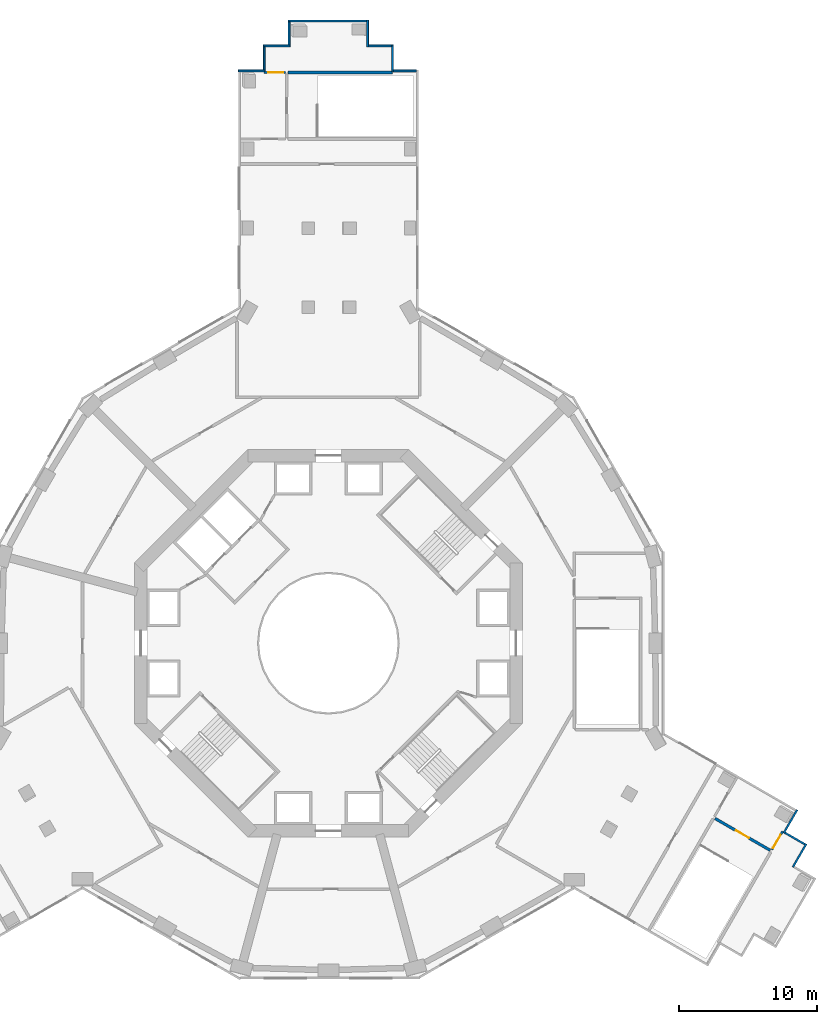
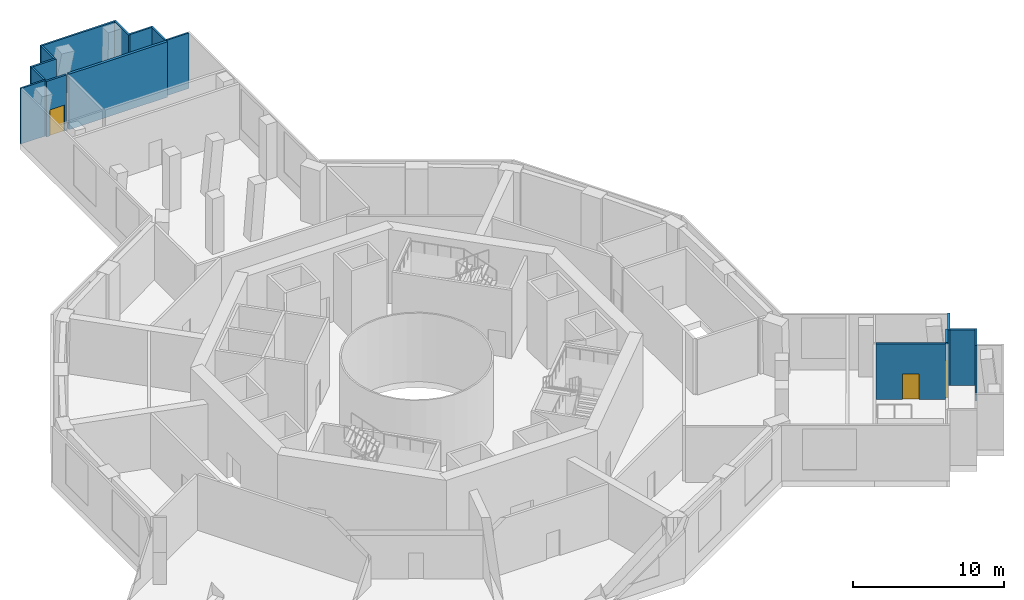
# One storey, part 6 of 12: 16 walls, 3 doors, 3 openings.
"""IFC4 building model written with IfcOpenShell, lengths in metres."""

from ifc_helpers import new_model, si_unit, direction, frame, frame_2d, origin, place, context, subcontext, project, spatial, rectangle, extrude, material, layer, layer_set, type_object, element, fill, save


model = new_model("IFC4")

# Units and contexts
model_context = context("Model", 3, precision=1e-05, world=origin(), true_north=direction((0.0, 1.0)))
body_context = subcontext(model_context, "Body", "Model", "MODEL_VIEW")
ifc_project = project(units=[si_unit("LENGTHUNIT", "METRE"), si_unit("AREAUNIT", "SQUARE_METRE"), si_unit("VOLUMEUNIT", "CUBIC_METRE"), si_unit("PLANEANGLEUNIT", "RADIAN"), si_unit("MASSUNIT", "GRAM", prefix="KILO")], contexts=[model_context])

# Site, building, storey
site_placement = place(None, origin())
site = spatial("IfcSite", under=ifc_project, at=site_placement, CompositionType="ELEMENT")
building_placement = place(site_placement, origin())
building = spatial("IfcBuilding", under=site, at=building_placement, Name="Verdalira Terraces Hotel", CompositionType="ELEMENT")
storey_placement = place(building_placement, frame((0.0, 0.0, 28.0)))
storey = spatial("IfcBuildingStorey", under=building, at=storey_placement, Name="L05", CompositionType="ELEMENT", Elevation=28.0)

# Wall, opening, door
ifc_material_1 = material(Name="Gypsum board partition on steel stud", Category="steel")
ifc_layer_1 = layer(ifc_material_1, 0.14990234375)
ifc_layer_set_1 = layer_set([ifc_layer_1], Name="Fire-rated partition 150 mm")
wall_type_1 = type_object("IfcWallType", Name="Fire-rated partition 150 mm", PredefinedType="PARTITIONING", material=ifc_layer_set_1)
wall_1_placement = place(storey_placement, frame((-4.64502, 41.199951, 0.0), z_axis=(0.0, 0.0, 1.0), x_axis=(1.0, 0.0, 0.0)))
wall_1 = element("IfcWall", 1, at=wall_1_placement, inside=storey, type_object=wall_type_1, Name="Partition", PredefinedType="PARTITIONING", context=body_context, shape_type="SweptSolid", body=[
    extrude(rectangle(XDim=1.545166, YDim=0.149902, at=frame_2d((0.772461, 0.0))), origin(), (0.0, 0.0, 1.0), 4.5),
])
opening_1_placement = place(wall_1_placement, frame((0.29541, 0.0, 0.0)))
opening_1 = element("IfcOpeningElement", 2, at=opening_1_placement, cuts=wall_1, Name="Opening L05-D11", PredefinedType="OPENING", context=body_context, shape_type="SweptSolid", body=[
    extrude(rectangle(XDim=1.100098, YDim=2.100098, at=frame_2d((0.550049, 1.050049))), frame((0.0, 0.084961, 0.0), z_axis=(0.0, -1.0, 0.0), x_axis=(1.0, 0.0, 0.0)), (0.0, 0.0, 1.0), 0.169922),
])
ifc_material_2 = material(Name="Steel fire door", Category="steel")
door_type = type_object("IfcDoorType", Name="Stair door 1100 x 2100", OperationType="SINGLE_SWING_LEFT", PredefinedType="DOOR", material=ifc_material_2)
door_1_placement = place(opening_1_placement, origin())
door_1 = element("IfcDoor", 3, at=door_1_placement, inside=storey, type_object=door_type, Name="Stair door Stair vestibule PS1", OperationType="SINGLE_SWING_LEFT", OverallHeight=2.10009765625, OverallWidth=1.10009765625, PredefinedType="DOOR", context=body_context, shape_type="SweptSolid", body=[
    extrude(rectangle(XDim=1.100098, YDim=2.100098, at=frame_2d((0.550049, 1.050049))), frame((0.0, 0.024902, 0.0), z_axis=(0.0, -1.0, 0.0), x_axis=(1.0, 0.0, 0.0)), (0.0, 0.0, 1.0), 0.050049),
])
fill(opening_1, door_1)

wall_2_placement = place(storey_placement, frame((32.806641, -13.577148, 0.0), z_axis=(0.0, 0.0, 1.0), x_axis=(-0.499995951, -0.866027742, 0.0)))
wall_2 = element("IfcWall", 4, at=wall_2_placement, inside=storey, type_object=wall_type_1, Name="Partition", PredefinedType="PARTITIONING", context=body_context, shape_type="SweptSolid", body=[
    extrude(rectangle(XDim=1.54541, YDim=0.149902, at=frame_2d((0.772705, 0.0))), origin(), (0.0, 0.0, 1.0), 4.5),
])
opening_2_placement = place(wall_2_placement, frame((0.29541, 0.0, 0.0)))
opening_2 = element("IfcOpeningElement", 5, at=opening_2_placement, cuts=wall_2, Name="Opening L05-D22", PredefinedType="OPENING", context=body_context, shape_type="SweptSolid", body=[
    extrude(rectangle(XDim=1.100098, YDim=2.100098, at=frame_2d((0.550049, 1.050049))), frame((0.0, 0.084961, 0.0), z_axis=(0.0, -1.0, 0.0), x_axis=(1.0, 0.0, 0.0)), (0.0, 0.0, 1.0), 0.169922),
])
door_2_placement = place(opening_2_placement, origin())
door_2 = element("IfcDoor", 6, at=door_2_placement, inside=storey, type_object=door_type, Name="Stair door Stair vestibule PS3", OperationType="SINGLE_SWING_RIGHT", OverallHeight=2.10009765625, OverallWidth=1.10009765625, PredefinedType="DOOR", context=body_context, shape_type="SweptSolid", body=[
    extrude(rectangle(XDim=1.100098, YDim=2.100098, at=frame_2d((0.550049, 1.050049))), frame((0.0, 0.024902, 0.0), z_axis=(0.0, -1.0, 0.0), x_axis=(1.0, 0.0, 0.0)), (0.0, 0.0, 1.0), 0.050049),
])
fill(opening_2, door_2)

# Wall
ifc_material_3 = material(Name="Concrete C50", Category="concrete")
ifc_layer_2 = layer(ifc_material_3, 0.199951171875)
ifc_layer_set_2 = layer_set([ifc_layer_2], Name="Stair enclosure wall 200 mm")
wall_type_2 = type_object("IfcWallType", Name="Stair enclosure wall 200 mm", PredefinedType="SOLIDWALL", material=ifc_layer_set_2)
wall_3_placement = place(storey_placement, frame((4.64502, 41.199951, 0.0), z_axis=(0.0, 0.0, 1.0), x_axis=(-1.0, 0.0, 0.0)))
element("IfcWall", 7, at=wall_3_placement, inside=storey, type_object=wall_type_2, Name="Stair enclosure wall", PredefinedType="SOLIDWALL", context=body_context, shape_type="SweptSolid", body=[
    extrude(rectangle(XDim=7.545166, YDim=0.199951, at=frame_2d((3.772461, 0.0))), origin(), (0.0, 0.0, 1.0), 4.5),
])

# Wall, opening, door
wall_4_placement = place(storey_placement, frame((27.913818, -12.651855, 0.0), z_axis=(0.0, 0.0, 1.0), x_axis=(0.86601677, -0.500014953, 0.0)))
wall_4 = element("IfcWall", 8, at=wall_4_placement, inside=storey, type_object=wall_type_2, Name="Stair enclosure wall", PredefinedType="SOLIDWALL", context=body_context, shape_type="SweptSolid", body=[
    extrude(rectangle(XDim=4.599854, YDim=0.199951, at=frame_2d((2.299805, 0.0))), origin(), (0.0, 0.0, 1.0), 4.5),
])
opening_3_placement = place(wall_4_placement, frame((1.75, 0.0, 0.0)))
opening_3 = element("IfcOpeningElement", 9, at=opening_3_placement, cuts=wall_4, Name="Opening L05-D21", PredefinedType="OPENING", context=body_context, shape_type="SweptSolid", body=[
    extrude(rectangle(XDim=1.100098, YDim=2.100098, at=frame_2d((0.550049, 1.050049))), frame((0.0, 0.109863, 0.0), z_axis=(0.0, -1.0, 0.0), x_axis=(1.0, 0.0, 0.0)), (0.0, 0.0, 1.0), 0.219971),
])
door_3_placement = place(opening_3_placement, origin())
door_3 = element("IfcDoor", 10, at=door_3_placement, inside=storey, type_object=door_type, Name="Stair door Stair lobby PS3", OperationType="SINGLE_SWING_LEFT", OverallHeight=2.10009765625, OverallWidth=1.10009765625, PredefinedType="DOOR", context=body_context, shape_type="SweptSolid", body=[
    extrude(rectangle(XDim=1.100098, YDim=2.100098, at=frame_2d((0.550049, 1.050049))), frame((0.0, 0.024902, 0.0), z_axis=(0.0, -1.0, 0.0), x_axis=(1.0, 0.0, 0.0)), (0.0, 0.0, 1.0), 0.050049),
])
fill(opening_3, door_3)

# Walls
ifc_material_4 = material(Name="Concrete C40", Category="concrete")
ifc_layer_3 = layer(ifc_material_4, 0.139892578125)
ifc_layer_set_3 = layer_set([ifc_layer_3], Name="Terracotta clad concrete wall C40 140 mm")
wall_type_3 = type_object("IfcWallType", Name="Terracotta clad concrete wall C40 140 mm", PredefinedType="SOLIDWALL", material=ifc_layer_set_3)
wall_5_placement = place(storey_placement, frame((6.360107, 41.330078, 0.0), z_axis=(0.0, 0.0, 1.0), x_axis=(-1.0, 0.0, 0.0)))
element("IfcWall", 11, at=wall_5_placement, inside=storey, type_object=wall_type_3, Name="Podium facade wall", PredefinedType="SOLIDWALL", context=body_context, shape_type="SweptSolid", body=[
    extrude(rectangle(XDim=1.660156, YDim=0.139893, at=frame_2d((0.830078, 0.0))), origin(), (0.0, 0.0, 1.0), 4.5),
])
wall_6_placement = place(storey_placement, frame((4.629883, 41.26001, 0.0), z_axis=(0.0, 0.0, 1.0), x_axis=(0.0, 1.0, 0.0)))
element("IfcWall", 12, at=wall_6_placement, inside=storey, type_object=wall_type_3, Name="Podium facade wall", PredefinedType="SOLIDWALL", context=body_context, shape_type="SweptSolid", body=[
    extrude(rectangle(XDim=1.939941, YDim=0.139893, at=frame_2d((0.969971, 0.0))), origin(), (0.0, 0.0, 1.0), 4.5),
])
ifc_material_5 = material(Name="Terracotta cladding on steel stud backup", Category="masonry")
ifc_layer_4 = layer(ifc_material_5, 0.139892578125)
ifc_layer_set_4 = layer_set([ifc_layer_4], Name="Terracotta clad wall 140 mm")
wall_type_4 = type_object("IfcWallType", Name="Terracotta clad wall 140 mm", PredefinedType="SOLIDWALL", material=ifc_layer_set_4)
wall_7_placement = place(storey_placement, frame((4.560059, 43.129883, 0.0), z_axis=(0.0, 0.0, 1.0), x_axis=(-1.0, 0.0, 0.0)))
element("IfcWall", 13, at=wall_7_placement, inside=storey, type_object=wall_type_4, Name="Podium facade wall", PredefinedType="SOLIDWALL", context=body_context, shape_type="SweptSolid", body=[
    extrude(rectangle(XDim=1.660156, YDim=0.139893, at=frame_2d((0.830078, 0.0))), origin(), (0.0, 0.0, 1.0), 4.5),
])
wall_8_placement = place(storey_placement, frame((2.830078, 43.060059, 0.0), z_axis=(0.0, 0.0, 1.0), x_axis=(0.0, 1.0, 0.0)))
element("IfcWall", 14, at=wall_8_placement, inside=storey, type_object=wall_type_4, Name="Podium facade wall", PredefinedType="SOLIDWALL", context=body_context, shape_type="SweptSolid", body=[
    extrude(rectangle(XDim=1.939941, YDim=0.139893, at=frame_2d((0.969971, 0.0))), origin(), (0.0, 0.0, 1.0), 4.5),
])
wall_9_placement = place(storey_placement, frame((2.76001, 44.929932, 0.0), z_axis=(0.0, 0.0, 1.0), x_axis=(-1.0, 0.0, 0.0)))
element("IfcWall", 15, at=wall_9_placement, inside=storey, type_object=wall_type_4, Name="Podium facade wall", PredefinedType="SOLIDWALL", context=body_context, shape_type="SweptSolid", body=[
    extrude(rectangle(XDim=5.659912, YDim=0.139893, at=frame_2d((2.830078, 0.0))), origin(), (0.0, 0.0, 1.0), 4.5),
])
wall_10_placement = place(storey_placement, frame((-2.830078, 44.860107, 0.0), z_axis=(0.0, 0.0, 1.0), x_axis=(0.0, -1.0, 0.0)))
element("IfcWall", 16, at=wall_10_placement, inside=storey, type_object=wall_type_4, Name="Podium facade wall", PredefinedType="SOLIDWALL", context=body_context, shape_type="SweptSolid", body=[
    extrude(rectangle(XDim=1.660156, YDim=0.139893, at=frame_2d((0.830078, 0.0))), origin(), (0.0, 0.0, 1.0), 4.5),
])
wall_11_placement = place(storey_placement, frame((-2.76001, 43.129883, 0.0), z_axis=(0.0, 0.0, 1.0), x_axis=(-1.0, 0.0, 0.0)))
element("IfcWall", 17, at=wall_11_placement, inside=storey, type_object=wall_type_4, Name="Podium facade wall", PredefinedType="SOLIDWALL", context=body_context, shape_type="SweptSolid", body=[
    extrude(rectangle(XDim=1.939941, YDim=0.139893, at=frame_2d((0.969971, 0.0))), origin(), (0.0, 0.0, 1.0), 4.5),
])
wall_12_placement = place(storey_placement, frame((-4.629883, 43.060059, 0.0), z_axis=(0.0, 0.0, 1.0), x_axis=(0.0, -1.0, 0.0)))
element("IfcWall", 18, at=wall_12_placement, inside=storey, type_object=wall_type_4, Name="Podium facade wall", PredefinedType="SOLIDWALL", context=body_context, shape_type="SweptSolid", body=[
    extrude(rectangle(XDim=1.660156, YDim=0.139893, at=frame_2d((0.830078, 0.0))), origin(), (0.0, 0.0, 1.0), 4.5),
])
wall_13_placement = place(storey_placement, frame((-4.560059, 41.330078, 0.0), z_axis=(0.0, 0.0, 1.0), x_axis=(-1.0, 0.0, 0.0)))
element("IfcWall", 19, at=wall_13_placement, inside=storey, type_object=wall_type_4, Name="Podium facade wall", PredefinedType="SOLIDWALL", context=body_context, shape_type="SweptSolid", body=[
    extrude(rectangle(XDim=1.939941, YDim=0.139893, at=frame_2d((0.969971, 0.0))), origin(), (0.0, 0.0, 1.0), 4.5),
])
wall_14_placement = place(storey_placement, frame((33.5354, -16.174805, 0.0), z_axis=(0.0, 0.0, 1.0), x_axis=(0.500063744, 0.865988598, 0.0)))
element("IfcWall", 20, at=wall_14_placement, inside=storey, type_object=wall_type_4, Name="Podium facade wall", PredefinedType="SOLIDWALL", context=body_context, shape_type="SweptSolid", body=[
    extrude(rectangle(XDim=1.940186, YDim=0.139893, at=frame_2d((0.970215, 0.0))), origin(), (0.0, 0.0, 1.0), 4.5),
])
wall_15_placement = place(storey_placement, frame((34.409912, -14.520264, 0.0), z_axis=(0.0, 0.0, 1.0), x_axis=(-0.865989634, 0.500061949, 0.0)))
element("IfcWall", 21, at=wall_15_placement, inside=storey, type_object=wall_type_4, Name="Podium facade wall", PredefinedType="SOLIDWALL", context=body_context, shape_type="SweptSolid", body=[
    extrude(rectangle(XDim=1.659912, YDim=0.139893, at=frame_2d((0.830078, 0.0))), origin(), (0.0, 0.0, 1.0), 4.5),
])
wall_16_placement = place(storey_placement, frame((32.876709, -13.71582, 0.0), z_axis=(0.0, 0.0, 1.0), x_axis=(0.500023862, 0.866011627, 0.0)))
element("IfcWall", 22, at=wall_16_placement, inside=storey, type_object=wall_type_4, Name="Podium facade wall", PredefinedType="SOLIDWALL", context=body_context, shape_type="SweptSolid", body=[
    extrude(rectangle(XDim=1.939941, YDim=0.139893, at=frame_2d((0.969971, 0.0))), origin(), (0.0, 0.0, 1.0), 4.5),
])

save(model, "model.ifc")
